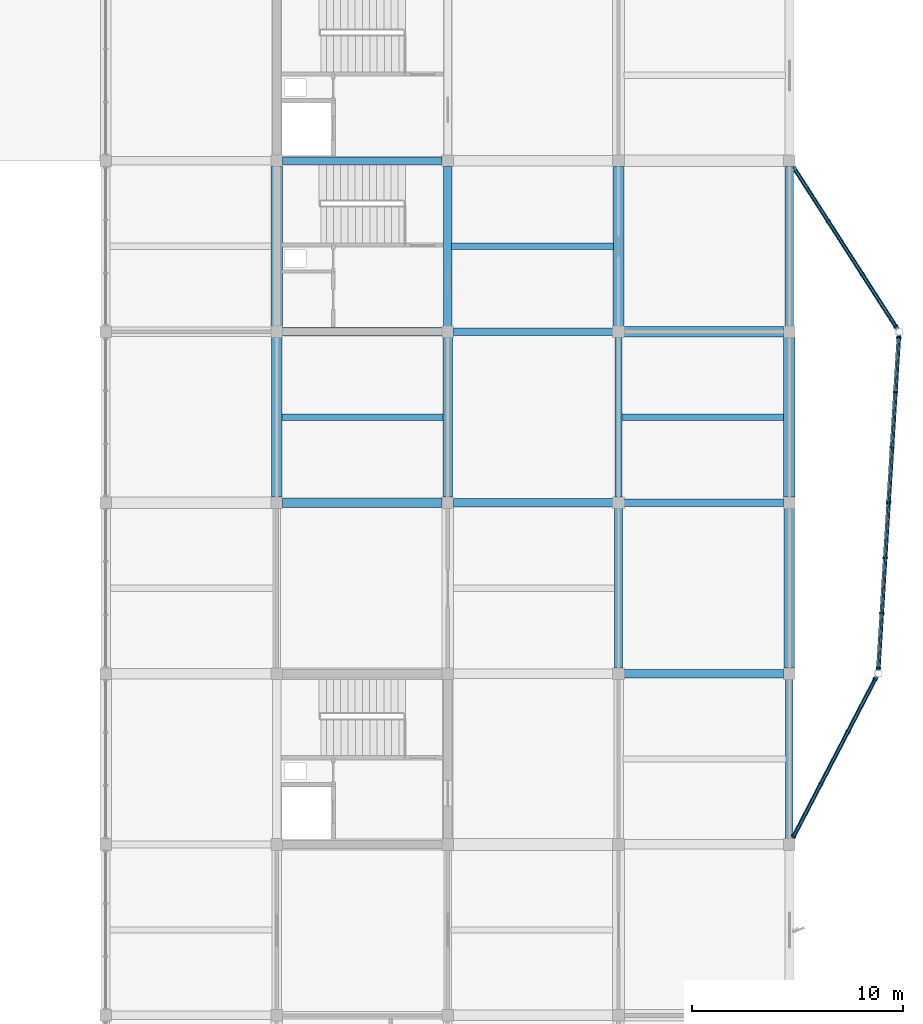
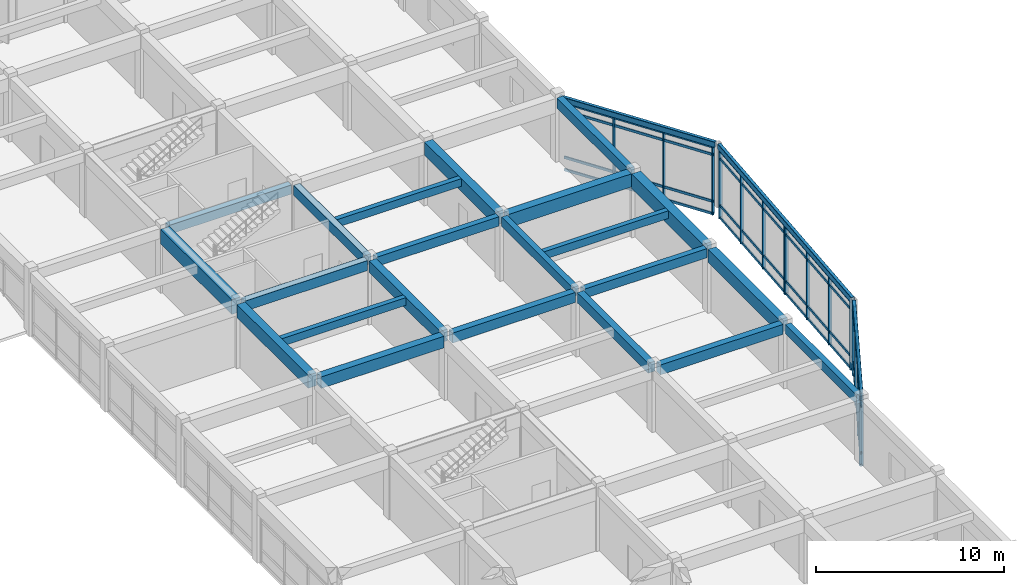
# One storey, part 20 of 33: 31 members, 25 beams, 4 elements without a shape of their own.
"""IFC4 building model written with IfcOpenShell, lengths in metres."""

from ifc_helpers import new_model, si_unit, direction, frame, origin, origin_2d, place, context, subcontext, project, spatial, rectangle, hollow_rectangle, extrude, material, layer, layer_set, material_profile, profile_set, type_object, element, aggregate, save


model = new_model("IFC4")

# Units and contexts
model_context = context("Model", 3, precision=1e-05, world=origin(), true_north=direction((0.0, 1.0)))
body_context = subcontext(model_context, "Body", "Model", "MODEL_VIEW")
ifc_project = project(units=[si_unit("LENGTHUNIT", "METRE"), si_unit("AREAUNIT", "SQUARE_METRE"), si_unit("VOLUMEUNIT", "CUBIC_METRE"), si_unit("PLANEANGLEUNIT", "RADIAN"), si_unit("MASSUNIT", "GRAM", prefix="KILO")], contexts=[model_context])

# Site, building, storey
site_placement = place(None, origin())
site = spatial("IfcSite", under=ifc_project, at=site_placement, CompositionType="ELEMENT")
building_placement = place(site_placement, origin())
building = spatial("IfcBuilding", under=site, at=building_placement, Name="Vaudrelin Polytechnic", CompositionType="ELEMENT")
storey_placement = place(building_placement, frame((0.0, 0.0, 27.3701171875)))
storey = spatial("IfcBuildingStorey", under=building, at=storey_placement, Name="L06", CompositionType="ELEMENT", Elevation=27.3701171875)

# Beams
ifc_material_1 = material(Name="Concrete 40 MPa", Category="concrete")
ifc_material_profile_1 = material_profile(ifc_material_1, rectangle(XDim=0.35009765625, YDim=0.60009765625, at=origin_2d()), Name="RC350x600")
ifc_profile_set_1 = profile_set([ifc_material_profile_1], Name="Concrete 40 MPa")
beam_type_1 = type_object("IfcBeamType", Name="BM-BM-RC3560", PredefinedType="BEAM", material=ifc_profile_set_1)
beam_1_placement = place(storey_placement, frame((162.0, 81.260009765625, 3.85986328125), z_axis=(0.0, 1.0, 0.0), x_axis=(-1.0, 0.0, 0.0)))
element("IfcBeam", 1, at=beam_1_placement, inside=storey, type_object=beam_type_1, Name="L06 Y-beam 21-11", PredefinedType="BEAM", context=body_context, shape_type="SweptSolid", body=[
    extrude(rectangle(XDim=0.35009765625, YDim=0.60009765625, at=origin_2d()), origin(), (0.0, 0.0, 1.0), 7.580078125),
])
beam_2_placement = place(storey_placement, frame((170.10009765625, 65.06005859375, 3.85986328125), z_axis=(0.0, 1.0, 0.0), x_axis=(-1.0, 0.0, 0.0)))
element("IfcBeam", 2, at=beam_2_placement, inside=storey, type_object=beam_type_1, Name="L06 Y-beam 22-9", PredefinedType="BEAM", context=body_context, shape_type="SweptSolid", body=[
    extrude(rectangle(XDim=0.35009765625, YDim=0.60009765625, at=origin_2d()), origin(), (0.0, 0.0, 1.0), 7.579833984375),
])
beam_3_placement = place(storey_placement, frame((146.071044921875, 97.199951171875, 3.85986328125), z_axis=(1.0, 0.0, 0.0), x_axis=(0.0, 1.0, 0.0)))
element("IfcBeam", 3, at=beam_3_placement, inside=storey, type_object=beam_type_1, Name="L06 X-beam 19-13", PredefinedType="BEAM", context=body_context, shape_type="SweptSolid", body=[
    extrude(rectangle(XDim=0.35009765625, YDim=0.60009765625, at=origin_2d()), origin(), (0.0, 0.0, 1.0), 7.557861328125),
])
for number, where, z_axis, x_axis, name in (
    (4, (154.1708984375, 89.10009765625, 3.85986328125), (1.0, 0.0, 0.0), (0.0, 1.0, 0.0), "L06 X-beam 20-12"),
    (5, (162.27099609375, 81.0, 3.85986328125), (1.0, 0.0, 0.0), (0.0, 1.0, 0.0), "L06 X-beam 21-11"),
):
    element("IfcBeam", number, at=place(storey_placement, frame(where, z_axis=z_axis, x_axis=x_axis)), inside=storey, type_object=beam_type_1, Name=name, PredefinedType="BEAM", context=body_context, shape_type="SweptSolid", body=[
        extrude(rectangle(XDim=0.35009765625, YDim=0.60009765625, at=origin_2d()), origin(), (0.0, 0.0, 1.0), 7.55810546875),
    ])
ifc_material_profile_2 = material_profile(ifc_material_1, rectangle(XDim=0.39990234375, YDim=0.64990234375, at=origin_2d()), Name="RC400x650")
ifc_profile_set_2 = profile_set([ifc_material_profile_2], Name="Concrete 40 MPa")
beam_type_2 = type_object("IfcBeamType", Name="BM-BM-RC4065", PredefinedType="BEAM", material=ifc_profile_set_2)
beam_4_placement = place(storey_placement, frame((153.89990234375, 89.360107421875, 3.8349609375), z_axis=(0.0, 1.0, 0.0), x_axis=(-1.0, 0.0, 0.0)))
element("IfcBeam", 6, at=beam_4_placement, inside=storey, type_object=beam_type_2, Name="L06 Y-beam 20-12", PredefinedType="BEAM", context=body_context, shape_type="SweptSolid", body=[
    extrude(rectangle(XDim=0.39990234375, YDim=0.64990234375, at=origin_2d()), origin(), (0.0, 0.0, 1.0), 7.579833984375),
])
beam_5_placement = place(storey_placement, frame((162.0, 73.159912109375, 3.8349609375), z_axis=(0.0, 1.0, 0.0), x_axis=(-1.0, 0.0, 0.0)))
element("IfcBeam", 7, at=beam_5_placement, inside=storey, type_object=beam_type_2, Name="L06 Y-beam 21-10", PredefinedType="BEAM", context=body_context, shape_type="SweptSolid", body=[
    extrude(rectangle(XDim=0.39990234375, YDim=0.64990234375, at=origin_2d()), origin(), (0.0, 0.0, 1.0), 7.580078125),
])
beam_6_placement = place(storey_placement, frame((146.071044921875, 89.10009765625, 3.8349609375), z_axis=(1.0, 0.0, 0.0), x_axis=(0.0, 1.0, 0.0)))
element("IfcBeam", 8, at=beam_6_placement, inside=storey, type_object=beam_type_2, Name="L06 X-beam 19-12", PredefinedType="BEAM", context=body_context, shape_type="SweptSolid", body=[
    extrude(rectangle(XDim=0.39990234375, YDim=0.64990234375, at=origin_2d()), origin(), (0.0, 0.0, 1.0), 7.557861328125),
])
for number, where, z_axis, x_axis, name in (
    (9, (154.1708984375, 81.0, 3.8349609375), (1.0, 0.0, 0.0), (0.0, 1.0, 0.0), "L06 X-beam 20-11"),
    (10, (162.27099609375, 72.89990234375, 3.8349609375), (1.0, 0.0, 0.0), (0.0, 1.0, 0.0), "L06 X-beam 21-10"),
):
    element("IfcBeam", number, at=place(storey_placement, frame(where, z_axis=z_axis, x_axis=x_axis)), inside=storey, type_object=beam_type_2, Name=name, PredefinedType="BEAM", context=body_context, shape_type="SweptSolid", body=[
        extrude(rectangle(XDim=0.39990234375, YDim=0.64990234375, at=origin_2d()), origin(), (0.0, 0.0, 1.0), 7.55810546875),
    ])
ifc_material_profile_3 = material_profile(ifc_material_1, rectangle(XDim=0.449951171875, YDim=0.75, at=origin_2d()), Name="RC450x750")
ifc_profile_set_3 = profile_set([ifc_material_profile_3], Name="Concrete 40 MPa")
beam_type_3 = type_object("IfcBeamType", Name="BM-BM-RC4575", PredefinedType="BEAM", material=ifc_profile_set_3)
beam_7_placement = place(storey_placement, frame((153.89990234375, 81.260009765625, 3.784912109375), z_axis=(0.0, 1.0, 0.0), x_axis=(-1.0, 0.0, 0.0)))
element("IfcBeam", 11, at=beam_7_placement, inside=storey, type_object=beam_type_3, Name="L06 Y-beam 20-11", PredefinedType="BEAM", context=body_context, shape_type="SweptSolid", body=[
    extrude(rectangle(XDim=0.449951171875, YDim=0.75, at=origin_2d()), origin(), (0.0, 0.0, 1.0), 7.580078125),
])
beam_8_placement = place(storey_placement, frame((146.071044921875, 81.0, 3.784912109375), z_axis=(1.0, 0.0, 0.0), x_axis=(0.0, 1.0, 0.0)))
element("IfcBeam", 12, at=beam_8_placement, inside=storey, type_object=beam_type_3, Name="L06 X-beam 19-11", PredefinedType="BEAM", context=body_context, shape_type="SweptSolid", body=[
    extrude(rectangle(XDim=0.449951171875, YDim=0.75, at=origin_2d()), origin(), (0.0, 0.0, 1.0), 7.557861328125),
])
ifc_material_profile_4 = material_profile(ifc_material_1, rectangle(XDim=0.5, YDim=0.85009765625, at=origin_2d()), Name="RC500x850")
ifc_profile_set_4 = profile_set([ifc_material_profile_4], Name="Concrete 40 MPa")
beam_type_4 = type_object("IfcBeamType", Name="BM-BM-RC5085", PredefinedType="BEAM", material=ifc_profile_set_4)
beam_9_placement = place(storey_placement, frame((145.800048828125, 81.260009765625, 3.73486328125), z_axis=(0.0, 1.0, 0.0), x_axis=(-1.0, 0.0, 0.0)))
element("IfcBeam", 13, at=beam_9_placement, inside=storey, type_object=beam_type_4, Name="L06 Y-beam 19-11", PredefinedType="BEAM", context=body_context, shape_type="SweptSolid", body=[
    extrude(rectangle(XDim=0.5, YDim=0.85009765625, at=origin_2d()), origin(), (0.0, 0.0, 1.0), 7.580078125),
])
beam_10_placement = place(storey_placement, frame((162.0, 89.360107421875, 3.73486328125), z_axis=(0.0, 1.0, 0.0), x_axis=(-1.0, 0.0, 0.0)))
element("IfcBeam", 14, at=beam_10_placement, inside=storey, type_object=beam_type_4, Name="L06 Y-beam 21-12", PredefinedType="BEAM", context=body_context, shape_type="SweptSolid", body=[
    extrude(rectangle(XDim=0.5, YDim=0.85009765625, at=origin_2d()), origin(), (0.0, 0.0, 1.0), 7.579833984375),
])
beam_11_placement = place(storey_placement, frame((170.10009765625, 73.159912109375, 3.73486328125), z_axis=(0.0, 1.0, 0.0), x_axis=(-1.0, 0.0, 0.0)))
element("IfcBeam", 15, at=beam_11_placement, inside=storey, type_object=beam_type_4, Name="L06 Y-beam 22-10", PredefinedType="BEAM", context=body_context, shape_type="SweptSolid", body=[
    extrude(rectangle(XDim=0.5, YDim=0.85009765625, at=origin_2d()), origin(), (0.0, 0.0, 1.0), 7.580078125),
])
beam_12_placement = place(storey_placement, frame((162.27099609375, 89.10009765625, 3.73486328125), z_axis=(1.0, 0.0, 0.0), x_axis=(0.0, 1.0, 0.0)))
element("IfcBeam", 16, at=beam_12_placement, inside=storey, type_object=beam_type_4, Name="L06 X-beam 21-12", PredefinedType="BEAM", context=body_context, shape_type="SweptSolid", body=[
    extrude(rectangle(XDim=0.5, YDim=0.85009765625, at=origin_2d()), origin(), (0.0, 0.0, 1.0), 7.55810546875),
])
ifc_material_2 = material(Name="Concrete 50 MPa", Category="concrete")
ifc_material_profile_5 = material_profile(ifc_material_2, rectangle(XDim=0.550048828125, YDim=0.949951171875, at=origin_2d()), Name="RC550x950")
ifc_profile_set_5 = profile_set([ifc_material_profile_5], Name="Concrete 50 MPa")
beam_type_5 = type_object("IfcBeamType", Name="BM-BM-RC5595", PredefinedType="BEAM", material=ifc_profile_set_5)
beam_13_placement = place(storey_placement, frame((145.800048828125, 89.360107421875, 3.684814453125), z_axis=(0.0, 1.0, 0.0), x_axis=(-1.0, 0.0, 0.0)))
element("IfcBeam", 17, at=beam_13_placement, inside=storey, type_object=beam_type_5, Name="L06 Y-beam 19-12", PredefinedType="BEAM", context=body_context, shape_type="SweptSolid", body=[
    extrude(rectangle(XDim=0.550048828125, YDim=0.949951171875, at=origin_2d()), origin(), (0.0, 0.0, 1.0), 7.579833984375),
])
beam_14_placement = place(storey_placement, frame((170.10009765625, 81.260009765625, 3.684814453125), z_axis=(0.0, 1.0, 0.0), x_axis=(-1.0, 0.0, 0.0)))
element("IfcBeam", 18, at=beam_14_placement, inside=storey, type_object=beam_type_5, Name="L06 Y-beam 22-11", PredefinedType="BEAM", context=body_context, shape_type="SweptSolid", body=[
    extrude(rectangle(XDim=0.550048828125, YDim=0.949951171875, at=origin_2d()), origin(), (0.0, 0.0, 1.0), 7.580078125),
])
ifc_material_profile_6 = material_profile(ifc_material_1, rectangle(XDim=0.300048828125, YDim=0.5, at=origin_2d()), Name="RC300x500")
ifc_profile_set_6 = profile_set([ifc_material_profile_6], Name="Concrete 40 MPa")
beam_type_6 = type_object("IfcBeamType", Name="BM-JS-RC3050", PredefinedType="JOIST", material=ifc_profile_set_6)
beam_15_placement = place(storey_placement, frame((146.0458984375, 85.050048828125, 3.909912109375), z_axis=(1.0, 0.0, 0.0), x_axis=(0.0, 1.0, 0.0)))
element("IfcBeam", 19, at=beam_15_placement, inside=storey, type_object=beam_type_6, Name="L06 floor joist 19-11", PredefinedType="JOIST", context=body_context, shape_type="SweptSolid", body=[
    extrude(rectangle(XDim=0.300048828125, YDim=0.5, at=origin_2d()), origin(), (0.0, 0.0, 1.0), 7.633056640625),
])
beam_16_placement = place(storey_placement, frame((154.095947265625, 93.14990234375, 3.909912109375), z_axis=(1.0, 0.0, 0.0), x_axis=(0.0, 1.0, 0.0)))
element("IfcBeam", 20, at=beam_16_placement, inside=storey, type_object=beam_type_6, Name="L06 floor joist 20-12", PredefinedType="JOIST", context=body_context, shape_type="SweptSolid", body=[
    extrude(rectangle(XDim=0.300048828125, YDim=0.5, at=origin_2d()), origin(), (0.0, 0.0, 1.0), 7.657958984375),
])
beam_17_placement = place(storey_placement, frame((162.1708984375, 85.050048828125, 3.909912109375), z_axis=(1.0, 0.0, 0.0), x_axis=(0.0, 1.0, 0.0)))
element("IfcBeam", 21, at=beam_17_placement, inside=storey, type_object=beam_type_6, Name="L06 floor joist 21-11", PredefinedType="JOIST", context=body_context, shape_type="SweptSolid", body=[
    extrude(rectangle(XDim=0.300048828125, YDim=0.5, at=origin_2d()), origin(), (0.0, 0.0, 1.0), 7.658203125),
])
ifc_material_3 = material(Name="Steel CSA G40.21 350WT", Category="steel")
ifc_material_profile_7 = material_profile(ifc_material_3, hollow_rectangle(XDim=0.202880859375, YDim=0.35595703125, WallThickness=0.0126953125, InnerFilletRadius=0.0126953125, OuterFilletRadius=0.025390625, at=origin_2d()), Name="HSS356x203x12.7")
ifc_profile_set_7 = profile_set([ifc_material_profile_7], Name="Steel CSA G40.21 350WT")
beam_type_7 = type_object("IfcBeamType", Name="BM-SP-HSS35", PredefinedType="SPANDREL", material=ifc_profile_set_7)
beam_18_placement = place(storey_placement, frame((170.164306640625, 64.92431640625, 3.98193359375), z_axis=(0.460338114153, 0.887743668329, 0.0), x_axis=(-0.887743668329, 0.460338114153, 0.0)))
element("IfcBeam", 22, at=beam_18_placement, inside=storey, type_object=beam_type_7, Name="Sculptural edge beam L06 E_OR2_B1", PredefinedType="SPANDREL", context=body_context, shape_type="SweptSolid", body=[
    extrude(hollow_rectangle(XDim=0.202880859375, YDim=0.35595703125, WallThickness=0.0126953125, InnerFilletRadius=0.0126953125, OuterFilletRadius=0.025390625, at=origin_2d()), origin(), (0.0, 0.0, 1.0), 8.84423828125),
])
beam_19_placement = place(storey_placement, frame((174.30859375, 73.039794921875, 3.98193359375), z_axis=(0.061621667017, 0.998099579278, 0.0), x_axis=(-0.998099579278, 0.061621667017, 0.0)))
element("IfcBeam", 23, at=beam_19_placement, inside=storey, type_object=beam_type_7, Name="Sculptural edge beam L06 E_OR2_B2", PredefinedType="SPANDREL", context=body_context, shape_type="SweptSolid", body=[
    extrude(hollow_rectangle(XDim=0.202880859375, YDim=0.35595703125, WallThickness=0.0126953125, InnerFilletRadius=0.0126953125, OuterFilletRadius=0.025390625, at=origin_2d()), origin(), (0.0, 0.0, 1.0), 15.95068359375),
])
beam_20_placement = place(storey_placement, frame((175.224365234375, 89.2177734375, 3.98193359375), z_axis=(-0.540233319411, 0.841515276509, 0.0), x_axis=(-0.841515276509, -0.540233319411, 0.0)))
element("IfcBeam", 24, at=beam_20_placement, inside=storey, type_object=beam_type_7, Name="Sculptural edge beam L06 E_OR2_B3", PredefinedType="SPANDREL", context=body_context, shape_type="SweptSolid", body=[
    extrude(hollow_rectangle(XDim=0.202880859375, YDim=0.35595703125, WallThickness=0.0126953125, InnerFilletRadius=0.0126953125, OuterFilletRadius=0.025390625, at=origin_2d()), origin(), (0.0, 0.0, 1.0), 9.345703125),
])
ifc_material_profile_8 = material_profile(ifc_material_1, rectangle(XDim=0.39990234375, YDim=0.64990234375, at=origin_2d()), Name="RC400x650")
ifc_profile_set_8 = profile_set([ifc_material_profile_8], Name="Concrete 40 MPa")
beam_type_8 = type_object("IfcBeamType", Name="BM-SP-RC4065", PredefinedType="SPANDREL", material=ifc_profile_set_8)
beam_21_placement = place(storey_placement, frame((170.10009765625, 89.360107421875, 3.8349609375), z_axis=(0.0, 1.0, 0.0), x_axis=(-1.0, 0.0, 0.0)))
element("IfcBeam", 25, at=beam_21_placement, inside=storey, type_object=beam_type_8, Name="L06 Y-beam 22-12", PredefinedType="SPANDREL", context=body_context, shape_type="SweptSolid", body=[
    extrude(rectangle(XDim=0.39990234375, YDim=0.64990234375, at=origin_2d()), origin(), (0.0, 0.0, 1.0), 7.579833984375),
])

# Curtain wall, members
ifc_material_4 = material(Name="Thermally broken anodised aluminium AA 6063-T6 and low-e triple glazing", Category="aluminium")
ifc_layer = layer(ifc_material_4, 0.199951171875)
ifc_layer_set = layer_set([ifc_layer], Name="Thermally broken anodised aluminium AA 6063-T6 and low-e triple glazing")
curtain_wall_type = type_object("IfcCurtainWallType", Name="CW-CW-LAB", PredefinedType="USERDEFINED", material=ifc_layer_set)
curtain_wall_1_placement = place(storey_placement, origin())
curtain_wall_1 = element("IfcCurtainWall", 26, at=curtain_wall_1_placement, inside=storey, type_object=curtain_wall_type, Name="Curtain wall L06 E_OR2_1_0", ObjectType="CURTAIN WALL", PredefinedType="USERDEFINED")
ifc_material_5 = material(Name="Anodised aluminium AA 6063-T6", Category="aluminium")
ifc_material_profile_9 = material_profile(ifc_material_5, rectangle(XDim=0.074951171875, YDim=0.219970703125, at=origin_2d()), Name="CWM-75x220")
ifc_profile_set_9 = profile_set([ifc_material_profile_9], Name="Anodised aluminium AA 6063-T6")
member_type_1 = type_object("IfcMemberType", Name="MEM-CWM-220", PredefinedType="MULLION", material=ifc_profile_set_9)
member_1_placement = place(storey_placement, frame((170.300048828125, 65.18603515625, -0.630126953125), z_axis=(0.0, 0.0, 1.0), x_axis=(0.460323021208, 0.887751494589, 0.0)))
member_1 = element("IfcMember", 27, at=member_1_placement, type_object=member_type_1, Name="E_OR2_1_0 mullion 1", PredefinedType="MULLION", context=body_context, shape_type="SweptSolid", body=[
    extrude(rectangle(XDim=0.074951171875, YDim=0.219970703125, at=origin_2d()), origin(), (0.0, 0.0, 1.0), 4.43994140625),
])
member_2_placement = place(storey_placement, frame((171.581787109375, 67.65771484375, -0.630126953125), z_axis=(0.0, 0.0, 1.0), x_axis=(0.460323021208, 0.887751494589, 0.0)))
member_2 = element("IfcMember", 28, at=member_2_placement, type_object=member_type_1, Name="E_OR2_1_0 mullion 2", PredefinedType="MULLION", context=body_context, shape_type="SweptSolid", body=[
    extrude(rectangle(XDim=0.074951171875, YDim=0.219970703125, at=origin_2d()), origin(), (0.0, 0.0, 1.0), 4.43994140625),
])
member_3_placement = place(storey_placement, frame((172.8818359375, 70.164794921875, -0.630126953125), z_axis=(0.0, 0.0, 1.0), x_axis=(0.460323021208, 0.887751494589, 0.0)))
member_3 = element("IfcMember", 29, at=member_3_placement, type_object=member_type_1, Name="E_OR2_1_0 mullion 3", PredefinedType="MULLION", context=body_context, shape_type="SweptSolid", body=[
    extrude(rectangle(XDim=0.074951171875, YDim=0.219970703125, at=origin_2d()), origin(), (0.0, 0.0, 1.0), 4.43994140625),
])
member_4_placement = place(storey_placement, frame((174.163330078125, 72.636474609375, -0.630126953125), z_axis=(0.0, 0.0, 1.0), x_axis=(0.460323021208, 0.887751494589, 0.0)))
member_4 = element("IfcMember", 30, at=member_4_placement, type_object=member_type_1, Name="E_OR2_1_0 mullion 4", PredefinedType="MULLION", context=body_context, shape_type="SweptSolid", body=[
    extrude(rectangle(XDim=0.074951171875, YDim=0.219970703125, at=origin_2d()), origin(), (0.0, 0.0, 1.0), 4.43994140625),
])

curtain_wall_2_placement = place(storey_placement, origin())
curtain_wall_2 = element("IfcCurtainWall", 31, at=curtain_wall_2_placement, inside=storey, type_object=curtain_wall_type, Name="Curtain wall L06 E_OR2_2_0", ObjectType="CURTAIN WALL", PredefinedType="USERDEFINED")
member_5_placement = place(storey_placement, frame((174.317138671875, 73.17724609375, -0.630126953125), z_axis=(0.0, 0.0, 1.0), x_axis=(0.061604568165, 0.998100634797, 0.0)))
member_5 = element("IfcMember", 32, at=member_5_placement, type_object=member_type_1, Name="E_OR2_2_0 mullion 1", PredefinedType="MULLION", context=body_context, shape_type="SweptSolid", body=[
    extrude(rectangle(XDim=0.074951171875, YDim=0.219970703125, at=origin_2d()), origin(), (0.0, 0.0, 1.0), 4.43994140625),
])
member_6_placement = place(storey_placement, frame((174.4765625, 75.75830078125, -0.630126953125), z_axis=(0.0, 0.0, 1.0), x_axis=(0.061604568165, 0.998100634797, 0.0)))
member_6 = element("IfcMember", 33, at=member_6_placement, type_object=member_type_1, Name="E_OR2_2_0 mullion 2", PredefinedType="MULLION", context=body_context, shape_type="SweptSolid", body=[
    extrude(rectangle(XDim=0.074951171875, YDim=0.219970703125, at=origin_2d()), origin(), (0.0, 0.0, 1.0), 4.43994140625),
])
member_7_placement = place(storey_placement, frame((174.63818359375, 78.379150390625, -0.630126953125), z_axis=(0.0, 0.0, 1.0), x_axis=(0.061604568165, 0.998100634797, 0.0)))
member_7 = element("IfcMember", 34, at=member_7_placement, type_object=member_type_1, Name="E_OR2_2_0 mullion 3", PredefinedType="MULLION", context=body_context, shape_type="SweptSolid", body=[
    extrude(rectangle(XDim=0.074951171875, YDim=0.219970703125, at=origin_2d()), origin(), (0.0, 0.0, 1.0), 4.43994140625),
])
member_8_placement = place(storey_placement, frame((174.797607421875, 80.960205078125, -0.630126953125), z_axis=(0.0, 0.0, 1.0), x_axis=(0.061604568165, 0.998100634797, 0.0)))
member_8 = element("IfcMember", 35, at=member_8_placement, type_object=member_type_1, Name="E_OR2_2_0 mullion 4", PredefinedType="MULLION", context=body_context, shape_type="SweptSolid", body=[
    extrude(rectangle(XDim=0.074951171875, YDim=0.219970703125, at=origin_2d()), origin(), (0.0, 0.0, 1.0), 4.43994140625),
])

curtain_wall_3_placement = place(storey_placement, origin())
curtain_wall_3 = element("IfcCurtainWall", 36, at=curtain_wall_3_placement, inside=storey, type_object=curtain_wall_type, Name="Curtain wall L06 E_OR2_2_1", ObjectType="CURTAIN WALL", PredefinedType="USERDEFINED")
member_9_placement = place(storey_placement, frame((174.802490234375, 81.039794921875, -0.630126953125), z_axis=(0.0, 0.0, 1.0), x_axis=(0.061604568165, 0.998100634797, 0.0)))
member_9 = element("IfcMember", 37, at=member_9_placement, type_object=member_type_1, Name="E_OR2_2_1 mullion 1", PredefinedType="MULLION", context=body_context, shape_type="SweptSolid", body=[
    extrude(rectangle(XDim=0.074951171875, YDim=0.219970703125, at=origin_2d()), origin(), (0.0, 0.0, 1.0), 4.43994140625),
])
member_10_placement = place(storey_placement, frame((174.9619140625, 83.620849609375, -0.630126953125), z_axis=(0.0, 0.0, 1.0), x_axis=(0.061604568165, 0.998100634797, 0.0)))
member_10 = element("IfcMember", 38, at=member_10_placement, type_object=member_type_1, Name="E_OR2_2_1 mullion 2", PredefinedType="MULLION", context=body_context, shape_type="SweptSolid", body=[
    extrude(rectangle(XDim=0.074951171875, YDim=0.219970703125, at=origin_2d()), origin(), (0.0, 0.0, 1.0), 4.43994140625),
])
member_11_placement = place(storey_placement, frame((175.12353515625, 86.24169921875, -0.630126953125), z_axis=(0.0, 0.0, 1.0), x_axis=(0.061604568165, 0.998100634797, 0.0)))
member_11 = element("IfcMember", 39, at=member_11_placement, type_object=member_type_1, Name="E_OR2_2_1 mullion 3", PredefinedType="MULLION", context=body_context, shape_type="SweptSolid", body=[
    extrude(rectangle(XDim=0.074951171875, YDim=0.219970703125, at=origin_2d()), origin(), (0.0, 0.0, 1.0), 4.43994140625),
])
member_12_placement = place(storey_placement, frame((175.28271484375, 88.82275390625, -0.630126953125), z_axis=(0.0, 0.0, 1.0), x_axis=(0.061604568165, 0.998100634797, 0.0)))
member_12 = element("IfcMember", 40, at=member_12_placement, type_object=member_type_1, Name="E_OR2_2_1 mullion 4", PredefinedType="MULLION", context=body_context, shape_type="SweptSolid", body=[
    extrude(rectangle(XDim=0.074951171875, YDim=0.219970703125, at=origin_2d()), origin(), (0.0, 0.0, 1.0), 4.43994140625),
])

curtain_wall_4_placement = place(storey_placement, origin())
curtain_wall_4 = element("IfcCurtainWall", 41, at=curtain_wall_4_placement, inside=storey, type_object=curtain_wall_type, Name="Curtain wall L06 E_OR2_3_0", ObjectType="CURTAIN WALL", PredefinedType="USERDEFINED")
member_13_placement = place(storey_placement, frame((175.134521484375, 89.357666015625, -0.630126953125), z_axis=(0.0, 0.0, 1.0), x_axis=(-0.540228204344, 0.841518560242, 0.0)))
member_13 = element("IfcMember", 42, at=member_13_placement, type_object=member_type_1, Name="E_OR2_3_0 mullion 1", PredefinedType="MULLION", context=body_context, shape_type="SweptSolid", body=[
    extrude(rectangle(XDim=0.074951171875, YDim=0.219970703125, at=origin_2d()), origin(), (0.0, 0.0, 1.0), 4.43994140625),
])
member_14_placement = place(storey_placement, frame((173.544921875, 91.833740234375, -0.630126953125), z_axis=(0.0, 0.0, 1.0), x_axis=(-0.540228204344, 0.841518560242, 0.0)))
member_14 = element("IfcMember", 43, at=member_14_placement, type_object=member_type_1, Name="E_OR2_3_0 mullion 2", PredefinedType="MULLION", context=body_context, shape_type="SweptSolid", body=[
    extrude(rectangle(XDim=0.074951171875, YDim=0.219970703125, at=origin_2d()), origin(), (0.0, 0.0, 1.0), 4.43994140625),
])
member_15_placement = place(storey_placement, frame((171.93359375, 94.34375, -0.630126953125), z_axis=(0.0, 0.0, 1.0), x_axis=(-0.540228204344, 0.841518560242, 0.0)))
member_15 = element("IfcMember", 44, at=member_15_placement, type_object=member_type_1, Name="E_OR2_3_0 mullion 3", PredefinedType="MULLION", context=body_context, shape_type="SweptSolid", body=[
    extrude(rectangle(XDim=0.074951171875, YDim=0.219970703125, at=origin_2d()), origin(), (0.0, 0.0, 1.0), 4.43994140625),
])

# Member
ifc_material_profile_10 = material_profile(ifc_material_5, rectangle(XDim=0.074951171875, YDim=0.1650390625, at=origin_2d()), Name="CWT-75x165")
ifc_profile_set_10 = profile_set([ifc_material_profile_10], Name="Anodised aluminium AA 6063-T6")
member_type_2 = type_object("IfcMemberType", Name="MEM-CWT-165", PredefinedType="USERDEFINED", material=ifc_profile_set_10)
member_16_placement = place(storey_placement, frame((170.28173828125, 65.150390625, -0.580078125), z_axis=(0.460316323374, 0.887754967564, 0.0), x_axis=(-0.887754967564, 0.460316323374, 0.0)))
member_16 = element("IfcMember", 45, at=member_16_placement, type_object=member_type_2, Name="E_OR2_1_0 transom 1", ObjectType="TRANSOM", PredefinedType="USERDEFINED", context=body_context, shape_type="SweptSolid", body=[
    extrude(rectangle(XDim=0.074951171875, YDim=0.1650390625, at=origin_2d()), origin(), (0.0, 0.0, 1.0), 8.47265625),
])

member_17_placement = place(storey_placement, frame((170.28173828125, 65.150390625, 0.219970703125), z_axis=(0.460316323374, 0.887754967564, 0.0), x_axis=(-0.887754967564, 0.460316323374, 0.0)))
member_17 = element("IfcMember", 46, at=member_17_placement, type_object=member_type_2, Name="E_OR2_1_0 transom 2", ObjectType="TRANSOM", PredefinedType="USERDEFINED", context=body_context, shape_type="SweptSolid", body=[
    extrude(rectangle(XDim=0.074951171875, YDim=0.1650390625, at=origin_2d()), origin(), (0.0, 0.0, 1.0), 8.47265625),
])

member_18_placement = place(storey_placement, frame((170.28173828125, 65.150390625, 3.259765625), z_axis=(0.460316323374, 0.887754967564, 0.0), x_axis=(-0.887754967564, 0.460316323374, 0.0)))
member_18 = element("IfcMember", 47, at=member_18_placement, type_object=member_type_2, Name="E_OR2_1_0 transom 3", ObjectType="TRANSOM", PredefinedType="USERDEFINED", context=body_context, shape_type="SweptSolid", body=[
    extrude(rectangle(XDim=0.074951171875, YDim=0.1650390625, at=origin_2d()), origin(), (0.0, 0.0, 1.0), 8.47265625),
])

member_19_placement = place(storey_placement, frame((170.28173828125, 65.150390625, 3.759765625), z_axis=(0.460316323374, 0.887754967564, 0.0), x_axis=(-0.887754967564, 0.460316323374, 0.0)))
member_19 = element("IfcMember", 48, at=member_19_placement, type_object=member_type_2, Name="E_OR2_1_0 transom 4", ObjectType="TRANSOM", PredefinedType="USERDEFINED", context=body_context, shape_type="SweptSolid", body=[
    extrude(rectangle(XDim=0.074951171875, YDim=0.1650390625, at=origin_2d()), origin(), (0.0, 0.0, 1.0), 8.47265625),
])

aggregate(curtain_wall_1, [member_1, member_2, member_3, member_4, member_16, member_17, member_18, member_19])

member_20_placement = place(storey_placement, frame((174.314697265625, 73.13720703125, -0.580078125), z_axis=(0.061610363004, 0.998100277112, 0.0), x_axis=(-0.998100277112, 0.061610363004, 0.0)))
member_20 = element("IfcMember", 49, at=member_20_placement, type_object=member_type_2, Name="E_OR2_2_0 transom 1", ObjectType="TRANSOM", PredefinedType="USERDEFINED", context=body_context, shape_type="SweptSolid", body=[
    extrude(rectangle(XDim=0.074951171875, YDim=0.1650390625, at=origin_2d()), origin(), (0.0, 0.0, 1.0), 7.877685546875),
])

member_21_placement = place(storey_placement, frame((174.314697265625, 73.13720703125, 0.219970703125), z_axis=(0.061610363004, 0.998100277112, 0.0), x_axis=(-0.998100277112, 0.061610363004, 0.0)))
member_21 = element("IfcMember", 50, at=member_21_placement, type_object=member_type_2, Name="E_OR2_2_0 transom 2", ObjectType="TRANSOM", PredefinedType="USERDEFINED", context=body_context, shape_type="SweptSolid", body=[
    extrude(rectangle(XDim=0.074951171875, YDim=0.1650390625, at=origin_2d()), origin(), (0.0, 0.0, 1.0), 7.877685546875),
])

member_22_placement = place(storey_placement, frame((174.314697265625, 73.13720703125, 3.259765625), z_axis=(0.061610363004, 0.998100277112, 0.0), x_axis=(-0.998100277112, 0.061610363004, 0.0)))
member_22 = element("IfcMember", 51, at=member_22_placement, type_object=member_type_2, Name="E_OR2_2_0 transom 3", ObjectType="TRANSOM", PredefinedType="USERDEFINED", context=body_context, shape_type="SweptSolid", body=[
    extrude(rectangle(XDim=0.074951171875, YDim=0.1650390625, at=origin_2d()), origin(), (0.0, 0.0, 1.0), 7.877685546875),
])

member_23_placement = place(storey_placement, frame((174.314697265625, 73.13720703125, 3.759765625), z_axis=(0.061610363004, 0.998100277112, 0.0), x_axis=(-0.998100277112, 0.061610363004, 0.0)))
member_23 = element("IfcMember", 52, at=member_23_placement, type_object=member_type_2, Name="E_OR2_2_0 transom 4", ObjectType="TRANSOM", PredefinedType="USERDEFINED", context=body_context, shape_type="SweptSolid", body=[
    extrude(rectangle(XDim=0.074951171875, YDim=0.1650390625, at=origin_2d()), origin(), (0.0, 0.0, 1.0), 7.877685546875),
])

aggregate(curtain_wall_2, [member_5, member_6, member_7, member_8, member_20, member_21, member_22, member_23])

member_24_placement = place(storey_placement, frame((174.800048828125, 81.0, -0.580078125), z_axis=(0.061610363004, 0.998100277112, 0.0), x_axis=(-0.998100277112, 0.061610363004, 0.0)))
member_24 = element("IfcMember", 53, at=member_24_placement, type_object=member_type_2, Name="E_OR2_2_1 transom 1", ObjectType="TRANSOM", PredefinedType="USERDEFINED", context=body_context, shape_type="SweptSolid", body=[
    extrude(rectangle(XDim=0.074951171875, YDim=0.1650390625, at=origin_2d()), origin(), (0.0, 0.0, 1.0), 7.877685546875),
])

member_25_placement = place(storey_placement, frame((174.800048828125, 81.0, 0.219970703125), z_axis=(0.061610363004, 0.998100277112, 0.0), x_axis=(-0.998100277112, 0.061610363004, 0.0)))
member_25 = element("IfcMember", 54, at=member_25_placement, type_object=member_type_2, Name="E_OR2_2_1 transom 2", ObjectType="TRANSOM", PredefinedType="USERDEFINED", context=body_context, shape_type="SweptSolid", body=[
    extrude(rectangle(XDim=0.074951171875, YDim=0.1650390625, at=origin_2d()), origin(), (0.0, 0.0, 1.0), 7.877685546875),
])

member_26_placement = place(storey_placement, frame((174.800048828125, 81.0, 3.259765625), z_axis=(0.061610363004, 0.998100277112, 0.0), x_axis=(-0.998100277112, 0.061610363004, 0.0)))
member_26 = element("IfcMember", 55, at=member_26_placement, type_object=member_type_2, Name="E_OR2_2_1 transom 3", ObjectType="TRANSOM", PredefinedType="USERDEFINED", context=body_context, shape_type="SweptSolid", body=[
    extrude(rectangle(XDim=0.074951171875, YDim=0.1650390625, at=origin_2d()), origin(), (0.0, 0.0, 1.0), 7.877685546875),
])

member_27_placement = place(storey_placement, frame((174.800048828125, 81.0, 3.759765625), z_axis=(0.061610363004, 0.998100277112, 0.0), x_axis=(-0.998100277112, 0.061610363004, 0.0)))
member_27 = element("IfcMember", 56, at=member_27_placement, type_object=member_type_2, Name="E_OR2_2_1 transom 4", ObjectType="TRANSOM", PredefinedType="USERDEFINED", context=body_context, shape_type="SweptSolid", body=[
    extrude(rectangle(XDim=0.074951171875, YDim=0.1650390625, at=origin_2d()), origin(), (0.0, 0.0, 1.0), 7.877685546875),
])

aggregate(curtain_wall_3, [member_9, member_10, member_11, member_12, member_24, member_25, member_26, member_27])

member_28_placement = place(storey_placement, frame((175.15625, 89.323974609375, -0.580078125), z_axis=(-0.540229304747, 0.841517853817, 0.0), x_axis=(-0.841517853817, -0.540229304747, 0.0)))
member_28 = element("IfcMember", 57, at=member_28_placement, type_object=member_type_2, Name="E_OR2_3_0 transom 1", ObjectType="TRANSOM", PredefinedType="USERDEFINED", context=body_context, shape_type="SweptSolid", body=[
    extrude(rectangle(XDim=0.074951171875, YDim=0.1650390625, at=origin_2d()), origin(), (0.0, 0.0, 1.0), 8.947509765625),
])

member_29_placement = place(storey_placement, frame((175.15625, 89.323974609375, 0.219970703125), z_axis=(-0.540229304747, 0.841517853817, 0.0), x_axis=(-0.841517853817, -0.540229304747, 0.0)))
member_29 = element("IfcMember", 58, at=member_29_placement, type_object=member_type_2, Name="E_OR2_3_0 transom 2", ObjectType="TRANSOM", PredefinedType="USERDEFINED", context=body_context, shape_type="SweptSolid", body=[
    extrude(rectangle(XDim=0.074951171875, YDim=0.1650390625, at=origin_2d()), origin(), (0.0, 0.0, 1.0), 8.947509765625),
])

member_30_placement = place(storey_placement, frame((175.15625, 89.323974609375, 3.259765625), z_axis=(-0.540229304747, 0.841517853817, 0.0), x_axis=(-0.841517853817, -0.540229304747, 0.0)))
member_30 = element("IfcMember", 59, at=member_30_placement, type_object=member_type_2, Name="E_OR2_3_0 transom 3", ObjectType="TRANSOM", PredefinedType="USERDEFINED", context=body_context, shape_type="SweptSolid", body=[
    extrude(rectangle(XDim=0.074951171875, YDim=0.1650390625, at=origin_2d()), origin(), (0.0, 0.0, 1.0), 8.947509765625),
])

member_31_placement = place(storey_placement, frame((175.15625, 89.323974609375, 3.759765625), z_axis=(-0.540229304747, 0.841517853817, 0.0), x_axis=(-0.841517853817, -0.540229304747, 0.0)))
member_31 = element("IfcMember", 60, at=member_31_placement, type_object=member_type_2, Name="E_OR2_3_0 transom 4", ObjectType="TRANSOM", PredefinedType="USERDEFINED", context=body_context, shape_type="SweptSolid", body=[
    extrude(rectangle(XDim=0.074951171875, YDim=0.1650390625, at=origin_2d()), origin(), (0.0, 0.0, 1.0), 8.947509765625),
])

aggregate(curtain_wall_4, [member_13, member_14, member_15, member_28, member_29, member_30, member_31])

save(model, "model.ifc")
